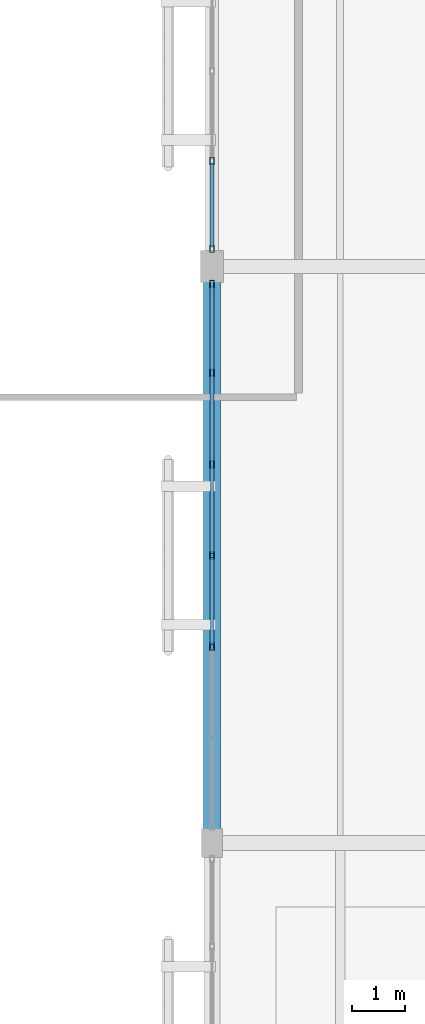
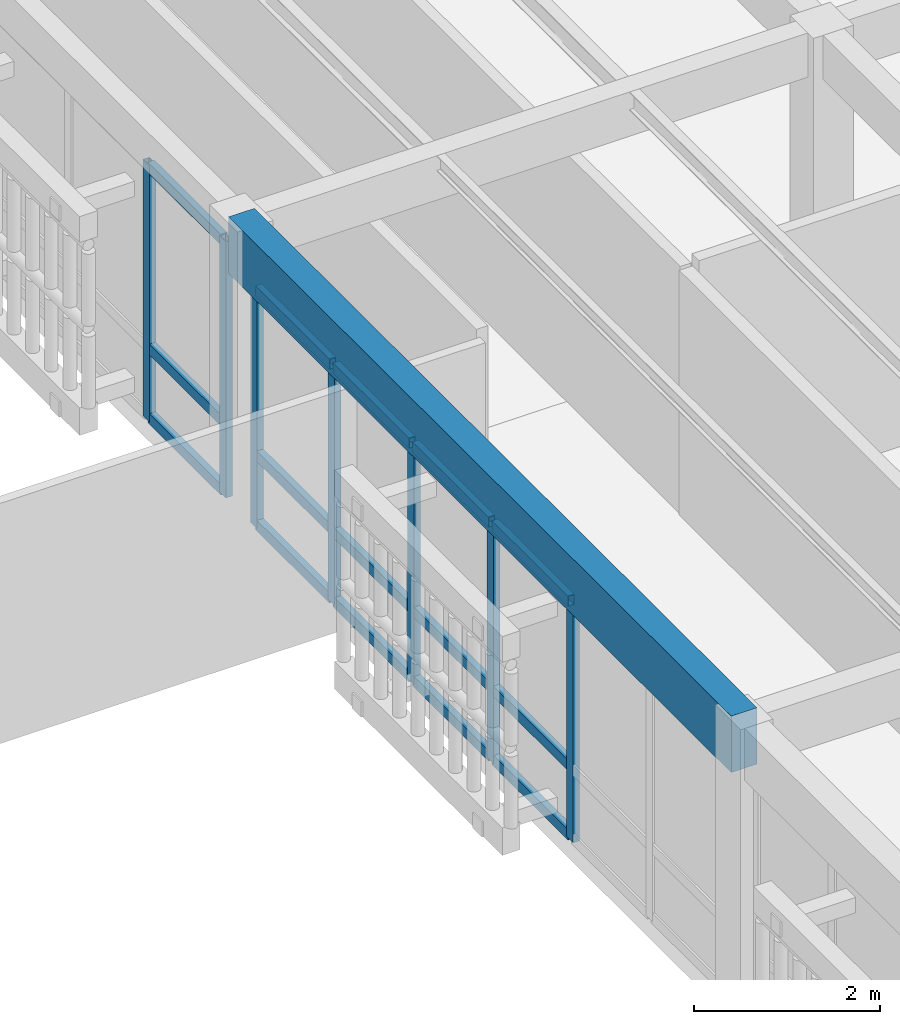
# One storey, part 32 of 217: 22 members, 1 beam, 2 elements without a shape of their own.
"""IFC4 building model written with IfcOpenShell, lengths in metres."""

from ifc_helpers import new_model, si_unit, direction, frame, origin, origin_2d, place, context, subcontext, project, spatial, rectangle, hollow_rectangle, extrude, material, layer, layer_set, material_profile, profile_set, type_object, element, aggregate, save


model = new_model("IFC4")

# Units and contexts
model_context = context("Model", 3, precision=1e-05, world=origin(), true_north=direction((0.0, 1.0)))
body_context = subcontext(model_context, "Body", "Model", "MODEL_VIEW")
ifc_project = project(units=[si_unit("LENGTHUNIT", "METRE"), si_unit("AREAUNIT", "SQUARE_METRE"), si_unit("VOLUMEUNIT", "CUBIC_METRE"), si_unit("PLANEANGLEUNIT", "RADIAN"), si_unit("MASSUNIT", "GRAM", prefix="KILO")], contexts=[model_context])

# Site, building, storey
site_placement = place(None, origin())
site = spatial("IfcSite", under=ifc_project, at=site_placement, CompositionType="ELEMENT")
building_placement = place(site_placement, origin())
building = spatial("IfcBuilding", under=site, at=building_placement, Name="Mazaris Harbour Polytechnic", CompositionType="ELEMENT")
storey_placement = place(building_placement, frame((0.0, 0.0, 9.60009765625)))
storey = spatial("IfcBuildingStorey", under=building, at=storey_placement, Name="L02", CompositionType="ELEMENT", Elevation=9.60009765625)

# Curtain wall, members
ifc_material_1 = material(Name="Anodised Bronze Aluminium and Low-E Glass", Category="aluminium")
ifc_layer = layer(ifc_material_1, 0.159912109375, Name="Anodised Bronze Aluminium and Low-E Glass")
ifc_layer_set = layer_set([ifc_layer], Name="Anodised Bronze Aluminium and Low-E Glass")
curtain_wall_type = type_object("IfcCurtainWallType", Name="Cloister Court Curtain Wall", PredefinedType="NOTDEFINED", material=ifc_layer_set)
curtain_wall_1_placement = place(storey_placement, origin())
curtain_wall_1 = element("IfcCurtainWall", 1, at=curtain_wall_1_placement, inside=storey, type_object=curtain_wall_type, Name="V4 L02 Curtain Wall 142", PredefinedType="NOTDEFINED")
ifc_material_2 = material(Name="Anodised Bronze Steel S355", Category="steel")
ifc_material_profile_1 = material_profile(ifc_material_2, hollow_rectangle(XDim=0.080078125, YDim=0.139892578125, WallThickness=0.00634765625, at=origin_2d()), Name="RHS 80x140x6.3")
ifc_profile_set_1 = profile_set([ifc_material_profile_1], Name="Anodised Bronze Steel S355")
member_type_1 = type_object("IfcMemberType", Name="Curtain Mullion RHS80x140", PredefinedType="MULLION", material=ifc_profile_set_1)
member_1_placement = place(storey_placement, frame((28.800048828125, 53.66796875, 0.0), z_axis=(0.0, 0.0, 1.0), x_axis=(1.0, 0.0, 0.0)))
member_1 = element("IfcMember", 2, at=member_1_placement, type_object=member_type_1, Name="CW-02 mullion 1", PredefinedType="MULLION", context=body_context, shape_type="SweptSolid", body=[
    extrude(hollow_rectangle(XDim=0.080078125, YDim=0.139892578125, WallThickness=0.00634765625, at=origin_2d()), origin(), (0.0, 0.0, 1.0), 3.139892578125),
])
member_2_placement = place(storey_placement, frame((28.800048828125, 52.000244140625, 0.0), z_axis=(0.0, 0.0, 1.0), x_axis=(1.0, 0.0, 0.0)))
member_2 = element("IfcMember", 3, at=member_2_placement, type_object=member_type_1, Name="CW-02 mullion 2", PredefinedType="MULLION", context=body_context, shape_type="SweptSolid", body=[
    extrude(hollow_rectangle(XDim=0.080078125, YDim=0.139892578125, WallThickness=0.00634765625, at=origin_2d()), origin(), (0.0, 0.0, 1.0), 3.139892578125),
])
member_3_placement = place(storey_placement, frame((28.800048828125, 50.292724609375, 0.0), z_axis=(0.0, 0.0, 1.0), x_axis=(1.0, 0.0, 0.0)))
member_3 = element("IfcMember", 4, at=member_3_placement, type_object=member_type_1, Name="CW-02 mullion 3", PredefinedType="MULLION", context=body_context, shape_type="SweptSolid", body=[
    extrude(hollow_rectangle(XDim=0.080078125, YDim=0.139892578125, WallThickness=0.00634765625, at=origin_2d()), origin(), (0.0, 0.0, 1.0), 3.139892578125),
])
member_4_placement = place(storey_placement, frame((28.800048828125, 48.5849609375, 0.0), z_axis=(0.0, 0.0, 1.0), x_axis=(1.0, 0.0, 0.0)))
member_4 = element("IfcMember", 5, at=member_4_placement, type_object=member_type_1, Name="CW-02 mullion 4", PredefinedType="MULLION", context=body_context, shape_type="SweptSolid", body=[
    extrude(hollow_rectangle(XDim=0.080078125, YDim=0.139892578125, WallThickness=0.00634765625, at=origin_2d()), origin(), (0.0, 0.0, 1.0), 3.139892578125),
])
member_5_placement = place(storey_placement, frame((28.800048828125, 46.87744140625, 0.0), z_axis=(0.0, 0.0, 1.0), x_axis=(1.0, 0.0, 0.0)))
member_5 = element("IfcMember", 6, at=member_5_placement, type_object=member_type_1, Name="CW-02 mullion 5", PredefinedType="MULLION", context=body_context, shape_type="SweptSolid", body=[
    extrude(hollow_rectangle(XDim=0.080078125, YDim=0.139892578125, WallThickness=0.00634765625, at=origin_2d()), origin(), (0.0, 0.0, 1.0), 3.139892578125),
])

curtain_wall_2_placement = place(storey_placement, origin())
curtain_wall_2 = element("IfcCurtainWall", 7, at=curtain_wall_2_placement, inside=storey, type_object=curtain_wall_type, Name="V4 L02 Curtain Wall 143", PredefinedType="NOTDEFINED")
member_6_placement = place(storey_placement, frame((28.800048828125, 55.978515625, 0.0), z_axis=(0.0, 0.0, 1.0), x_axis=(1.0, 0.0, 0.0)))
member_6 = element("IfcMember", 8, at=member_6_placement, type_object=member_type_1, Name="CW-02 mullion 4", PredefinedType="MULLION", context=body_context, shape_type="SweptSolid", body=[
    extrude(hollow_rectangle(XDim=0.080078125, YDim=0.139892578125, WallThickness=0.00634765625, at=origin_2d()), origin(), (0.0, 0.0, 1.0), 3.35986328125),
])
member_7_placement = place(storey_placement, frame((28.800048828125, 54.33203125, 0.0), z_axis=(0.0, 0.0, 1.0), x_axis=(1.0, 0.0, 0.0)))
member_7 = element("IfcMember", 9, at=member_7_placement, type_object=member_type_1, Name="CW-02 mullion 5", PredefinedType="MULLION", context=body_context, shape_type="SweptSolid", body=[
    extrude(hollow_rectangle(XDim=0.080078125, YDim=0.139892578125, WallThickness=0.00634765625, at=origin_2d()), origin(), (0.0, 0.0, 1.0), 3.35986328125),
])

# Member
ifc_material_3 = material(Name="Anodised Bronze Steel S355", Category="steel")
ifc_material_profile_2 = material_profile(ifc_material_3, hollow_rectangle(XDim=0.080078125, YDim=0.139892578125, WallThickness=0.00634765625, at=origin_2d()), Name="RHS 80x140x6.3")
ifc_profile_set_2 = profile_set([ifc_material_profile_2], Name="Anodised Bronze Steel S355")
member_type_2 = type_object("IfcMemberType", Name="Curtain Transom RHS80x140", PredefinedType="USERDEFINED", material=ifc_profile_set_2)
member_8_placement = place(storey_placement, frame((28.800048828125, 53.6279296875, 0.039794921875), z_axis=(0.0, -1.0, 0.0), x_axis=(1.0, 0.0, 0.0)))
member_8 = element("IfcMember", 10, at=member_8_placement, type_object=member_type_2, Name="CW-02 transom 1.1", ObjectType="TRANSOM", PredefinedType="USERDEFINED", context=body_context, shape_type="SweptSolid", body=[
    extrude(hollow_rectangle(XDim=0.080078125, YDim=0.139892578125, WallThickness=0.00634765625, at=origin_2d()), origin(), (0.0, 0.0, 1.0), 1.587646484375),
])

member_9_placement = place(storey_placement, frame((28.800048828125, 53.6279296875, 0.949951171875), z_axis=(0.0, -1.0, 0.0), x_axis=(1.0, 0.0, 0.0)))
member_9 = element("IfcMember", 11, at=member_9_placement, type_object=member_type_2, Name="CW-02 transom 1.2", ObjectType="TRANSOM", PredefinedType="USERDEFINED", context=body_context, shape_type="SweptSolid", body=[
    extrude(hollow_rectangle(XDim=0.080078125, YDim=0.139892578125, WallThickness=0.00634765625, at=origin_2d()), origin(), (0.0, 0.0, 1.0), 1.587646484375),
])

member_10_placement = place(storey_placement, frame((28.800048828125, 53.6279296875, 3.099853515625), z_axis=(0.0, -1.0, 0.0), x_axis=(1.0, 0.0, 0.0)))
member_10 = element("IfcMember", 12, at=member_10_placement, type_object=member_type_2, Name="CW-02 transom 1.3", ObjectType="TRANSOM", PredefinedType="USERDEFINED", context=body_context, shape_type="SweptSolid", body=[
    extrude(hollow_rectangle(XDim=0.080078125, YDim=0.139892578125, WallThickness=0.00634765625, at=origin_2d()), origin(), (0.0, 0.0, 1.0), 1.587646484375),
])

member_11_placement = place(storey_placement, frame((28.800048828125, 51.96044921875, 0.039794921875), z_axis=(0.0, -1.0, 0.0), x_axis=(1.0, 0.0, 0.0)))
member_11 = element("IfcMember", 13, at=member_11_placement, type_object=member_type_2, Name="CW-02 transom 2.1", ObjectType="TRANSOM", PredefinedType="USERDEFINED", context=body_context, shape_type="SweptSolid", body=[
    extrude(hollow_rectangle(XDim=0.080078125, YDim=0.139892578125, WallThickness=0.00634765625, at=origin_2d()), origin(), (0.0, 0.0, 1.0), 1.627685546875),
])

member_12_placement = place(storey_placement, frame((28.800048828125, 51.96044921875, 0.949951171875), z_axis=(0.0, -1.0, 0.0), x_axis=(1.0, 0.0, 0.0)))
member_12 = element("IfcMember", 14, at=member_12_placement, type_object=member_type_2, Name="CW-02 transom 2.2", ObjectType="TRANSOM", PredefinedType="USERDEFINED", context=body_context, shape_type="SweptSolid", body=[
    extrude(hollow_rectangle(XDim=0.080078125, YDim=0.139892578125, WallThickness=0.00634765625, at=origin_2d()), origin(), (0.0, 0.0, 1.0), 1.627685546875),
])

member_13_placement = place(storey_placement, frame((28.800048828125, 51.96044921875, 3.099853515625), z_axis=(0.0, -1.0, 0.0), x_axis=(1.0, 0.0, 0.0)))
member_13 = element("IfcMember", 15, at=member_13_placement, type_object=member_type_2, Name="CW-02 transom 2.3", ObjectType="TRANSOM", PredefinedType="USERDEFINED", context=body_context, shape_type="SweptSolid", body=[
    extrude(hollow_rectangle(XDim=0.080078125, YDim=0.139892578125, WallThickness=0.00634765625, at=origin_2d()), origin(), (0.0, 0.0, 1.0), 1.627685546875),
])

member_14_placement = place(storey_placement, frame((28.800048828125, 50.252685546875, 0.039794921875), z_axis=(0.0, -1.0, 0.0), x_axis=(1.0, 0.0, 0.0)))
member_14 = element("IfcMember", 16, at=member_14_placement, type_object=member_type_2, Name="CW-02 transom 3.1", ObjectType="TRANSOM", PredefinedType="USERDEFINED", context=body_context, shape_type="SweptSolid", body=[
    extrude(hollow_rectangle(XDim=0.080078125, YDim=0.139892578125, WallThickness=0.00634765625, at=origin_2d()), origin(), (0.0, 0.0, 1.0), 1.627685546875),
])

member_15_placement = place(storey_placement, frame((28.800048828125, 50.252685546875, 0.949951171875), z_axis=(0.0, -1.0, 0.0), x_axis=(1.0, 0.0, 0.0)))
member_15 = element("IfcMember", 17, at=member_15_placement, type_object=member_type_2, Name="CW-02 transom 3.2", ObjectType="TRANSOM", PredefinedType="USERDEFINED", context=body_context, shape_type="SweptSolid", body=[
    extrude(hollow_rectangle(XDim=0.080078125, YDim=0.139892578125, WallThickness=0.00634765625, at=origin_2d()), origin(), (0.0, 0.0, 1.0), 1.627685546875),
])

member_16_placement = place(storey_placement, frame((28.800048828125, 50.252685546875, 3.099853515625), z_axis=(0.0, -1.0, 0.0), x_axis=(1.0, 0.0, 0.0)))
member_16 = element("IfcMember", 18, at=member_16_placement, type_object=member_type_2, Name="CW-02 transom 3.3", ObjectType="TRANSOM", PredefinedType="USERDEFINED", context=body_context, shape_type="SweptSolid", body=[
    extrude(hollow_rectangle(XDim=0.080078125, YDim=0.139892578125, WallThickness=0.00634765625, at=origin_2d()), origin(), (0.0, 0.0, 1.0), 1.627685546875),
])

member_17_placement = place(storey_placement, frame((28.800048828125, 48.544921875, 0.039794921875), z_axis=(0.0, -1.0, 0.0), x_axis=(1.0, 0.0, 0.0)))
member_17 = element("IfcMember", 19, at=member_17_placement, type_object=member_type_2, Name="CW-02 transom 4.1", ObjectType="TRANSOM", PredefinedType="USERDEFINED", context=body_context, shape_type="SweptSolid", body=[
    extrude(hollow_rectangle(XDim=0.080078125, YDim=0.139892578125, WallThickness=0.00634765625, at=origin_2d()), origin(), (0.0, 0.0, 1.0), 1.627685546875),
])

member_18_placement = place(storey_placement, frame((28.800048828125, 48.544921875, 0.949951171875), z_axis=(0.0, -1.0, 0.0), x_axis=(1.0, 0.0, 0.0)))
member_18 = element("IfcMember", 20, at=member_18_placement, type_object=member_type_2, Name="CW-02 transom 4.2", ObjectType="TRANSOM", PredefinedType="USERDEFINED", context=body_context, shape_type="SweptSolid", body=[
    extrude(hollow_rectangle(XDim=0.080078125, YDim=0.139892578125, WallThickness=0.00634765625, at=origin_2d()), origin(), (0.0, 0.0, 1.0), 1.627685546875),
])

member_19_placement = place(storey_placement, frame((28.800048828125, 48.544921875, 3.099853515625), z_axis=(0.0, -1.0, 0.0), x_axis=(1.0, 0.0, 0.0)))
member_19 = element("IfcMember", 21, at=member_19_placement, type_object=member_type_2, Name="CW-02 transom 4.3", ObjectType="TRANSOM", PredefinedType="USERDEFINED", context=body_context, shape_type="SweptSolid", body=[
    extrude(hollow_rectangle(XDim=0.080078125, YDim=0.139892578125, WallThickness=0.00634765625, at=origin_2d()), origin(), (0.0, 0.0, 1.0), 1.627685546875),
])

aggregate(curtain_wall_1, [member_1, member_2, member_3, member_4, member_5, member_8, member_9, member_10, member_11, member_12, member_13, member_14, member_15, member_16, member_17, member_18, member_19])

member_20_placement = place(storey_placement, frame((28.800048828125, 55.9384765625, 0.039794921875), z_axis=(0.0, -1.0, 0.0), x_axis=(1.0, 0.0, 0.0)))
member_20 = element("IfcMember", 22, at=member_20_placement, type_object=member_type_2, Name="CW-02 transom 4.1", ObjectType="TRANSOM", PredefinedType="USERDEFINED", context=body_context, shape_type="SweptSolid", body=[
    extrude(hollow_rectangle(XDim=0.080078125, YDim=0.139892578125, WallThickness=0.00634765625, at=origin_2d()), origin(), (0.0, 0.0, 1.0), 1.56640625),
])

member_21_placement = place(storey_placement, frame((28.800048828125, 55.9384765625, 0.949951171875), z_axis=(0.0, -1.0, 0.0), x_axis=(1.0, 0.0, 0.0)))
member_21 = element("IfcMember", 23, at=member_21_placement, type_object=member_type_2, Name="CW-02 transom 4.2", ObjectType="TRANSOM", PredefinedType="USERDEFINED", context=body_context, shape_type="SweptSolid", body=[
    extrude(hollow_rectangle(XDim=0.080078125, YDim=0.139892578125, WallThickness=0.00634765625, at=origin_2d()), origin(), (0.0, 0.0, 1.0), 1.56640625),
])

member_22_placement = place(storey_placement, frame((28.800048828125, 55.9384765625, 3.31982421875), z_axis=(0.0, -1.0, 0.0), x_axis=(1.0, 0.0, 0.0)))
member_22 = element("IfcMember", 24, at=member_22_placement, type_object=member_type_2, Name="CW-02 transom 4.3", ObjectType="TRANSOM", PredefinedType="USERDEFINED", context=body_context, shape_type="SweptSolid", body=[
    extrude(hollow_rectangle(XDim=0.080078125, YDim=0.139892578125, WallThickness=0.00634765625, at=origin_2d()), origin(), (0.0, 0.0, 1.0), 1.56640625),
])

aggregate(curtain_wall_2, [member_6, member_7, member_20, member_21, member_22])

# Beam
ifc_material_4 = material(Name="Glulam GL32h", Category="wood")
ifc_material_profile_3 = material_profile(ifc_material_4, rectangle(XDim=0.320068359375, YDim=0.739990234375, at=origin_2d()), Name="RECT320x740")
ifc_profile_set_3 = profile_set([ifc_material_profile_3], Name="Glulam GL32h")
beam_type = type_object("IfcBeamType", Name="Glulam Girder 320x740", PredefinedType="BEAM", material=ifc_profile_set_3)
beam_placement = place(storey_placement, frame((28.800048828125, 43.199951171875, 3.52001953125), z_axis=(0.0, 1.0, 0.0), x_axis=(-1.0, 0.0, 0.0)))
element("IfcBeam", 25, at=beam_placement, inside=storey, type_object=beam_type, Name="V4 L02 Tie Girder 2014", PredefinedType="BEAM", context=body_context, shape_type="SweptSolid", body=[
    extrude(rectangle(XDim=0.320068359375, YDim=0.739990234375, at=origin_2d()), origin(), (0.0, 0.0, 1.0), 10.800048828125),
])

save(model, "model.ifc")
